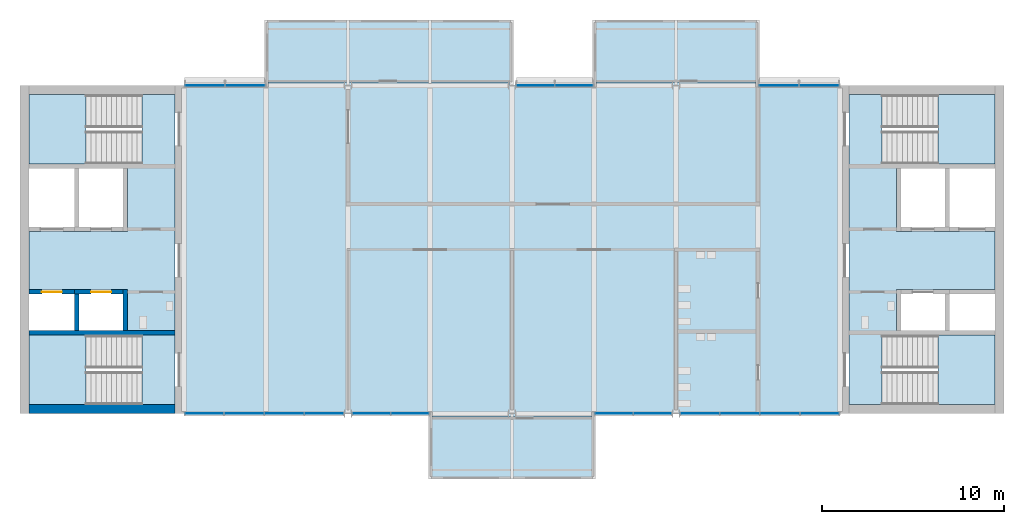
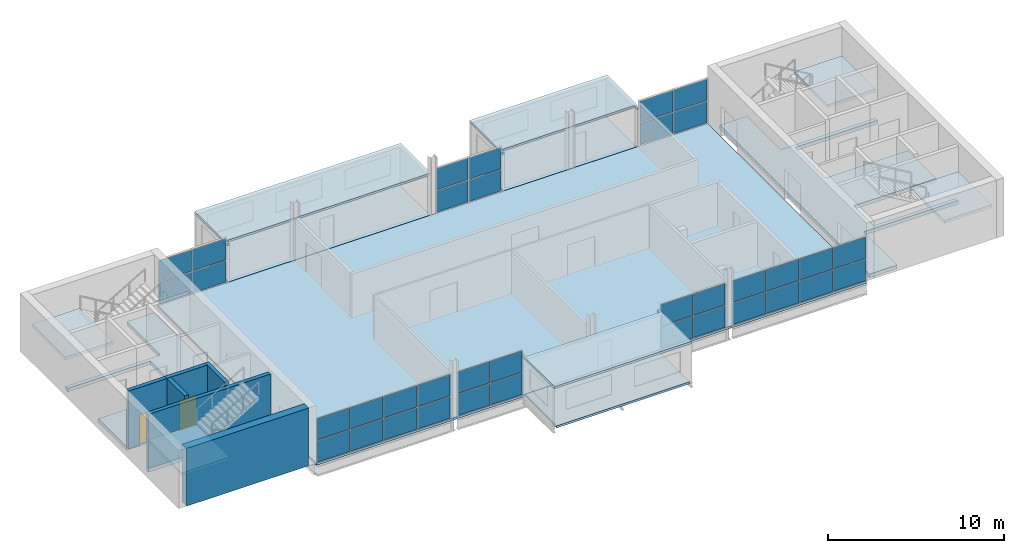
# One storey, part 4 of 10: 36 plates, 13 slabs, 6 walls, 2 doors, 2 openings, 11 elements without a shape of their own.
"""IFC4 building model written with IfcOpenShell, lengths in metres."""

from ifc_helpers import new_model, si_unit, direction, frame, frame_2d, origin, origin_2d, place, context, subcontext, project, spatial, polyline, rectangle, outline, extrude, material, layer, layer_set, type_object, element, fill, aggregate, save


model = new_model("IFC4")

# Units and contexts
model_context = context("Model", 3, precision=1e-05, world=origin(), true_north=direction((0.0, 1.0)))
body_context = subcontext(model_context, "Body", "Model", "MODEL_VIEW")
ifc_project = project(units=[si_unit("LENGTHUNIT", "METRE"), si_unit("AREAUNIT", "SQUARE_METRE"), si_unit("VOLUMEUNIT", "CUBIC_METRE"), si_unit("PLANEANGLEUNIT", "RADIAN"), si_unit("MASSUNIT", "GRAM", prefix="KILO")], contexts=[model_context])

# Site, building, storey
site_placement = place(None, origin())
site = spatial("IfcSite", under=ifc_project, at=site_placement, CompositionType="ELEMENT")
building_placement = place(site_placement, origin())
building = spatial("IfcBuilding", under=site, at=building_placement, Name="Corbel Yard City Hall", CompositionType="ELEMENT")
storey_placement = place(building_placement, frame((0.0, 0.0, 47.199951171875)))
storey = spatial("IfcBuildingStorey", under=building, at=storey_placement, Name="L11", CompositionType="ELEMENT", Elevation=47.199951171875)

# Slabs
ifc_material_1 = material(Name="Concrete N40 (40 MPa)", Category="concrete")
ifc_layer_1 = layer(ifc_material_1, 0.25)
ifc_layer_set_1 = layer_set([ifc_layer_1], Name="Concrete N40 (40 MPa)")
slab_type_1 = type_object("IfcSlabType", Name="CF1", PredefinedType="FLOOR", material=ifc_layer_set_1)
slab_1_placement = place(storey_placement, frame((0.0, 0.0, -0.25)))
element("IfcSlab", 1, at=slab_1_placement, inside=storey, type_object=slab_type_1, Name="Core floor slab", PredefinedType="FLOOR", context=body_context, shape_type="SweptSolid", body=[
    extrude(outline(polyline([(8.5, 116.5), (6.698974609375, 116.5), (6.698974609375, 112.699951171875), (0.5, 112.699951171875), (0.5, 112.449951171875), (5.89990234375, 112.449951171875), (5.89990234375, 109.0), (0.5, 109.0), (0.5, 105.800048828125), (5.89990234375, 105.800048828125), (5.89990234375, 103.550048828125), (0.5, 103.550048828125), (0.5, 103.300048828125), (6.698974609375, 103.300048828125), (6.698974609375, 99.5), (8.5, 99.5), (8.5, 116.5)])), origin(), (0.0, 0.0, 1.0), 0.25),
])
slab_2_placement = place(storey_placement, frame((0.0, 0.0, -0.25)))
element("IfcSlab", 2, at=slab_2_placement, inside=storey, type_object=slab_type_1, Name="Core floor slab", PredefinedType="FLOOR", context=body_context, shape_type="SweptSolid", body=[
    extrude(outline(polyline([(53.5, 103.300048828125), (53.5, 103.550048828125), (48.10009765625, 103.550048828125), (48.10009765625, 105.800048828125), (53.5, 105.800048828125), (53.5, 109.0), (48.10009765625, 109.0), (48.10009765625, 112.449951171875), (53.5, 112.449951171875), (53.5, 112.699951171875), (47.301025390625, 112.699951171875), (47.301025390625, 116.5), (45.5, 116.5), (45.5, 99.5), (47.301025390625, 99.5), (47.301025390625, 103.300048828125), (53.5, 103.300048828125)])), origin(), (0.0, 0.0, 1.0), 0.25),
])
ifc_layer_2 = layer(ifc_material_1, 0.14990234375)
ifc_layer_set_2 = layer_set([ifc_layer_2], Name="Concrete N40 (40 MPa)")
slab_type_2 = type_object("IfcSlabType", Name="Floor slab 150", PredefinedType="FLOOR", material=ifc_layer_set_2)
slab_3_placement = place(storey_placement, frame((0.0, 0.0, -0.14990234375)))
element("IfcSlab", 3, at=slab_3_placement, inside=storey, type_object=slab_type_2, Name="Tower floor slab L11", PredefinedType="FLOOR", context=body_context, shape_type="SweptSolid", body=[
    extrude(outline(polyline([(45.0, 99.0), (45.0, 117.0), (9.0, 117.0), (9.0, 99.0), (45.0, 99.0)])), origin(), (0.0, 0.0, 1.0), 0.14990234375),
])

# Stair, slab
stair_type = type_object("IfcStairType", Name="ST4", PredefinedType="HALF_TURN_STAIR", material=ifc_material_1)
stair_1_placement = place(storey_placement, origin())
stair_1 = element("IfcStair", 4, at=stair_1_placement, inside=storey, type_object=stair_type, Name="Exit stair ST-W1 L11", PredefinedType="HALF_TURN_STAIR")
ifc_layer_3 = layer(ifc_material_1, 0.199951171875)
ifc_layer_set_3 = layer_set([ifc_layer_3], Name="Concrete N40 (40 MPa)")
slab_type_3 = type_object("IfcSlabType", Name="LN1", PredefinedType="LANDING", material=ifc_layer_set_3)
slab_4_placement = place(storey_placement, frame((0.0, 0.0, 1.800048828125)))
slab_4 = element("IfcSlab", 5, at=slab_4_placement, type_object=slab_type_3, Name="ST-W1 landing 1", PredefinedType="LANDING", context=body_context, shape_type="SweptSolid", body=[
    extrude(outline(polyline([(0.5, 99.5), (3.6201171875, 99.5), (3.6201171875, 103.300048828125), (0.5, 103.300048828125), (0.5, 99.5)])), origin(), (0.0, 0.0, 1.0), 0.199951171875),
])
aggregate(stair_1, [slab_4])

stair_2_placement = place(storey_placement, origin())
stair_2 = element("IfcStair", 6, at=stair_2_placement, inside=storey, type_object=stair_type, Name="Exit stair ST-W2 L11", PredefinedType="HALF_TURN_STAIR")
slab_5_placement = place(storey_placement, frame((0.0, 0.0, 1.800048828125)))
slab_5 = element("IfcSlab", 7, at=slab_5_placement, type_object=slab_type_3, Name="ST-W2 landing 1", PredefinedType="LANDING", context=body_context, shape_type="SweptSolid", body=[
    extrude(outline(polyline([(0.5, 112.699951171875), (3.6201171875, 112.699951171875), (3.6201171875, 116.5), (0.5, 116.5), (0.5, 112.699951171875)])), origin(), (0.0, 0.0, 1.0), 0.199951171875),
])
aggregate(stair_2, [slab_5])

stair_3_placement = place(storey_placement, origin())
stair_3 = element("IfcStair", 8, at=stair_3_placement, inside=storey, type_object=stair_type, Name="Exit stair ST-E1 L11", PredefinedType="HALF_TURN_STAIR")
slab_6_placement = place(storey_placement, frame((0.0, 0.0, 1.800048828125)))
slab_6 = element("IfcSlab", 9, at=slab_6_placement, type_object=slab_type_3, Name="ST-E1 landing 1", PredefinedType="LANDING", context=body_context, shape_type="SweptSolid", body=[
    extrude(outline(polyline([(50.3798828125, 99.5), (53.5, 99.5), (53.5, 103.300048828125), (50.3798828125, 103.300048828125), (50.3798828125, 99.5)])), origin(), (0.0, 0.0, 1.0), 0.199951171875),
])
aggregate(stair_3, [slab_6])

stair_4_placement = place(storey_placement, origin())
stair_4 = element("IfcStair", 10, at=stair_4_placement, inside=storey, type_object=stair_type, Name="Exit stair ST-E2 L11", PredefinedType="HALF_TURN_STAIR")
slab_7_placement = place(storey_placement, frame((0.0, 0.0, 1.800048828125)))
slab_7 = element("IfcSlab", 11, at=slab_7_placement, type_object=slab_type_3, Name="ST-E2 landing 1", PredefinedType="LANDING", context=body_context, shape_type="SweptSolid", body=[
    extrude(outline(polyline([(50.3798828125, 112.699951171875), (53.5, 112.699951171875), (53.5, 116.5), (50.3798828125, 116.5), (50.3798828125, 112.699951171875)])), origin(), (0.0, 0.0, 1.0), 0.199951171875),
])
aggregate(stair_4, [slab_7])

# Slabs
ifc_material_2 = material(Name="Concrete N32 (32 MPa)", Category="concrete")
ifc_layer_4 = layer(ifc_material_2, 0.14990234375)
ifc_layer_set_4 = layer_set([ifc_layer_4], Name="Concrete N32 (32 MPa)")
slab_type_4 = type_object("IfcSlabType", Name="PF1", PredefinedType="FLOOR", material=ifc_layer_set_4)
slab_8_placement = place(storey_placement, frame((0.0, 0.0, -0.14990234375)))
element("IfcSlab", 12, at=slab_8_placement, inside=storey, type_object=slab_type_4, Name="Pod floor slab L11", PredefinedType="FLOOR", context=body_context, shape_type="SweptSolid", body=[
    extrude(outline(polyline([(22.64990234375, 95.39990234375), (31.35009765625, 95.39990234375), (31.35009765625, 99.0), (22.64990234375, 99.0), (22.64990234375, 95.39990234375)])), origin(), (0.0, 0.0, 1.0), 0.14990234375),
])
slab_9_placement = place(storey_placement, frame((0.0, 0.0, -0.14990234375)))
element("IfcSlab", 13, at=slab_9_placement, inside=storey, type_object=slab_type_4, Name="Pod floor slab L11", PredefinedType="FLOOR", context=body_context, shape_type="SweptSolid", body=[
    extrude(outline(polyline([(13.64990234375, 117.0), (26.85009765625, 117.0), (26.85009765625, 120.60009765625), (13.64990234375, 120.60009765625), (13.64990234375, 117.0)])), origin(), (0.0, 0.0, 1.0), 0.14990234375),
])
slab_10_placement = place(storey_placement, frame((0.0, 0.0, -0.14990234375)))
element("IfcSlab", 14, at=slab_10_placement, inside=storey, type_object=slab_type_4, Name="Pod floor slab L11", PredefinedType="FLOOR", context=body_context, shape_type="SweptSolid", body=[
    extrude(outline(polyline([(31.64990234375, 117.0), (40.35009765625, 117.0), (40.35009765625, 120.60009765625), (31.64990234375, 120.60009765625), (31.64990234375, 117.0)])), origin(), (0.0, 0.0, 1.0), 0.14990234375),
])
ifc_layer_5 = layer(ifc_material_2, 0.14990234375)
ifc_layer_set_5 = layer_set([ifc_layer_5], Name="Concrete N32 (32 MPa)")
slab_type_5 = type_object("IfcSlabType", Name="PH1", PredefinedType="ROOF", material=ifc_layer_set_5)
slab_11_placement = place(storey_placement, frame((0.0, 0.0, 2.60009765625)))
element("IfcSlab", 15, at=slab_11_placement, inside=storey, type_object=slab_type_5, Name="Pod roof slab L11", PredefinedType="ROOF", context=body_context, shape_type="SweptSolid", body=[
    extrude(outline(polyline([(22.5, 95.39990234375), (31.5, 95.39990234375), (31.5, 99.074951171875), (31.35009765625, 99.074951171875), (31.35009765625, 98.800048828125), (22.64990234375, 98.800048828125), (22.64990234375, 99.074951171875), (22.5, 99.074951171875), (22.5, 95.39990234375)])), origin(), (0.0, 0.0, 1.0), 0.14990234375),
])
slab_12_placement = place(storey_placement, frame((0.0, 0.0, 2.60009765625)))
element("IfcSlab", 16, at=slab_12_placement, inside=storey, type_object=slab_type_5, Name="Pod roof slab L11", PredefinedType="ROOF", context=body_context, shape_type="SweptSolid", body=[
    extrude(outline(polyline([(13.5, 120.60009765625), (13.5, 116.909912109375), (13.64990234375, 116.909912109375), (13.64990234375, 117.199951171875), (27.0, 117.199951171875), (27.0, 120.60009765625), (13.5, 120.60009765625)])), origin(), (0.0, 0.0, 1.0), 0.14990234375),
])
slab_13_placement = place(storey_placement, frame((0.0, 0.0, 2.60009765625)))
element("IfcSlab", 17, at=slab_13_placement, inside=storey, type_object=slab_type_5, Name="Pod roof slab L11", PredefinedType="ROOF", context=body_context, shape_type="SweptSolid", body=[
    extrude(outline(polyline([(31.5, 120.60009765625), (31.5, 116.909912109375), (31.64990234375, 116.909912109375), (31.64990234375, 117.199951171875), (40.35009765625, 117.199951171875), (40.35009765625, 116.909912109375), (40.5, 116.909912109375), (40.5, 120.60009765625), (31.5, 120.60009765625)])), origin(), (0.0, 0.0, 1.0), 0.14990234375),
])

# Curtain wall, plates
ifc_material_3 = material(Name="Aluminium extrusion", Category="aluminium")
ifc_layer_6 = layer(ifc_material_3, 0.14990234375)
ifc_layer_set_6 = layer_set([ifc_layer_6], Name="Aluminium extrusion")
curtain_wall_type_1 = type_object("IfcCurtainWallType", Name="CW2", PredefinedType="USERDEFINED", material=ifc_layer_set_6)
curtain_wall_1_placement = place(storey_placement, origin())
curtain_wall_1 = element("IfcCurtainWall", 18, at=curtain_wall_1_placement, inside=storey, type_object=curtain_wall_type_1, Name="Curtain wall CW2 L11", ObjectType="CURTAIN WALL", PredefinedType="USERDEFINED")
ifc_material_4 = material(Name="Double glazed low-e glass unit", Category="glass")
ifc_layer_7 = layer(ifc_material_4, 0.028076171875)
ifc_layer_set_7 = layer_set([ifc_layer_7], Name="Double glazed low-e glass unit")
plate_type_1 = type_object("IfcPlateType", Name="PN2", PredefinedType="CURTAIN_PANEL", material=ifc_layer_set_7)
plate_1_placement = place(storey_placement, frame((10.115478515625, 99.0, 0.06494140625), z_axis=(0.0, 0.0, 1.0), x_axis=(1.0, 0.0, 0.0)))
plate_1 = element("IfcPlate", 19, at=plate_1_placement, type_object=plate_type_1, Name="CW2 panel 1.1", PredefinedType="CURTAIN_PANEL", context=body_context, shape_type="SweptSolid", body=[
    extrude(rectangle(XDim=2.100830078125, YDim=0.028076171875, at=origin_2d()), origin(), (0.0, 0.0, 1.0), 1.4775390625),
])
plate_2_placement = place(storey_placement, frame((10.115478515625, 99.0, 1.607421875), z_axis=(0.0, 0.0, 1.0), x_axis=(1.0, 0.0, 0.0)))
plate_2 = element("IfcPlate", 20, at=plate_2_placement, type_object=plate_type_1, Name="CW2 panel 1.2", PredefinedType="CURTAIN_PANEL", context=body_context, shape_type="SweptSolid", body=[
    extrude(rectangle(XDim=2.100830078125, YDim=0.028076171875, at=origin_2d()), origin(), (0.0, 0.0, 1.0), 1.4775390625),
])
plate_3_placement = place(storey_placement, frame((12.29736328125, 99.0, 0.06494140625), z_axis=(0.0, 0.0, 1.0), x_axis=(1.0, 0.0, 0.0)))
plate_3 = element("IfcPlate", 21, at=plate_3_placement, type_object=plate_type_1, Name="CW2 panel 2.1", PredefinedType="CURTAIN_PANEL", context=body_context, shape_type="SweptSolid", body=[
    extrude(rectangle(XDim=2.13330078125, YDim=0.028076171875, at=origin_2d()), origin(), (0.0, 0.0, 1.0), 1.4775390625),
])
plate_4_placement = place(storey_placement, frame((12.29736328125, 99.0, 1.607421875), z_axis=(0.0, 0.0, 1.0), x_axis=(1.0, 0.0, 0.0)))
plate_4 = element("IfcPlate", 22, at=plate_4_placement, type_object=plate_type_1, Name="CW2 panel 2.2", PredefinedType="CURTAIN_PANEL", context=body_context, shape_type="SweptSolid", body=[
    extrude(rectangle(XDim=2.13330078125, YDim=0.028076171875, at=origin_2d()), origin(), (0.0, 0.0, 1.0), 1.4775390625),
])
plate_5_placement = place(storey_placement, frame((14.49560546875, 99.0, 0.06494140625), z_axis=(0.0, 0.0, 1.0), x_axis=(1.0, 0.0, 0.0)))
plate_5 = element("IfcPlate", 23, at=plate_5_placement, type_object=plate_type_1, Name="CW2 panel 3.1", PredefinedType="CURTAIN_PANEL", context=body_context, shape_type="SweptSolid", body=[
    extrude(rectangle(XDim=2.13330078125, YDim=0.028076171875, at=origin_2d()), origin(), (0.0, 0.0, 1.0), 1.4775390625),
])
plate_6_placement = place(storey_placement, frame((14.49560546875, 99.0, 1.607421875), z_axis=(0.0, 0.0, 1.0), x_axis=(1.0, 0.0, 0.0)))
plate_6 = element("IfcPlate", 24, at=plate_6_placement, type_object=plate_type_1, Name="CW2 panel 3.2", PredefinedType="CURTAIN_PANEL", context=body_context, shape_type="SweptSolid", body=[
    extrude(rectangle(XDim=2.13330078125, YDim=0.028076171875, at=origin_2d()), origin(), (0.0, 0.0, 1.0), 1.4775390625),
])
plate_7_placement = place(storey_placement, frame((16.677734375, 99.0, 0.06494140625), z_axis=(0.0, 0.0, 1.0), x_axis=(1.0, 0.0, 0.0)))
plate_7 = element("IfcPlate", 25, at=plate_7_placement, type_object=plate_type_1, Name="CW2 panel 4.1", PredefinedType="CURTAIN_PANEL", context=body_context, shape_type="SweptSolid", body=[
    extrude(rectangle(XDim=2.100830078125, YDim=0.028076171875, at=origin_2d()), origin(), (0.0, 0.0, 1.0), 1.4775390625),
])
plate_8_placement = place(storey_placement, frame((16.677734375, 99.0, 1.607421875), z_axis=(0.0, 0.0, 1.0), x_axis=(1.0, 0.0, 0.0)))
plate_8 = element("IfcPlate", 26, at=plate_8_placement, type_object=plate_type_1, Name="CW2 panel 4.2", PredefinedType="CURTAIN_PANEL", context=body_context, shape_type="SweptSolid", body=[
    extrude(rectangle(XDim=2.100830078125, YDim=0.028076171875, at=origin_2d()), origin(), (0.0, 0.0, 1.0), 1.4775390625),
])
aggregate(curtain_wall_1, [plate_1, plate_2, plate_3, plate_4, plate_5, plate_6, plate_7, plate_8])

curtain_wall_2_placement = place(storey_placement, origin())
curtain_wall_2 = element("IfcCurtainWall", 27, at=curtain_wall_2_placement, inside=storey, type_object=curtain_wall_type_1, Name="Curtain wall CW2 L11", ObjectType="CURTAIN WALL", PredefinedType="USERDEFINED")
plate_9_placement = place(storey_placement, frame((19.29638671875, 99.0, 0.06494140625), z_axis=(0.0, 0.0, 1.0), x_axis=(1.0, 0.0, 0.0)))
plate_9 = element("IfcPlate", 28, at=plate_9_placement, type_object=plate_type_1, Name="CW2 panel 1.1", PredefinedType="CURTAIN_PANEL", context=body_context, shape_type="SweptSolid", body=[
    extrude(rectangle(XDim=2.049072265625, YDim=0.028076171875, at=origin_2d()), origin(), (0.0, 0.0, 1.0), 1.4775390625),
])
plate_10_placement = place(storey_placement, frame((19.29638671875, 99.0, 1.607421875), z_axis=(0.0, 0.0, 1.0), x_axis=(1.0, 0.0, 0.0)))
plate_10 = element("IfcPlate", 29, at=plate_10_placement, type_object=plate_type_1, Name="CW2 panel 1.2", PredefinedType="CURTAIN_PANEL", context=body_context, shape_type="SweptSolid", body=[
    extrude(rectangle(XDim=2.049072265625, YDim=0.028076171875, at=origin_2d()), origin(), (0.0, 0.0, 1.0), 1.4775390625),
])
plate_11_placement = place(storey_placement, frame((21.410400390625, 99.0, 0.06494140625), z_axis=(0.0, 0.0, 1.0), x_axis=(1.0, 0.0, 0.0)))
plate_11 = element("IfcPlate", 30, at=plate_11_placement, type_object=plate_type_1, Name="CW2 panel 2.1", PredefinedType="CURTAIN_PANEL", context=body_context, shape_type="SweptSolid", body=[
    extrude(rectangle(XDim=2.049072265625, YDim=0.028076171875, at=origin_2d()), origin(), (0.0, 0.0, 1.0), 1.4775390625),
])
plate_12_placement = place(storey_placement, frame((21.410400390625, 99.0, 1.607421875), z_axis=(0.0, 0.0, 1.0), x_axis=(1.0, 0.0, 0.0)))
plate_12 = element("IfcPlate", 31, at=plate_12_placement, type_object=plate_type_1, Name="CW2 panel 2.2", PredefinedType="CURTAIN_PANEL", context=body_context, shape_type="SweptSolid", body=[
    extrude(rectangle(XDim=2.049072265625, YDim=0.028076171875, at=origin_2d()), origin(), (0.0, 0.0, 1.0), 1.4775390625),
])
aggregate(curtain_wall_2, [plate_9, plate_10, plate_11, plate_12])

curtain_wall_3_placement = place(storey_placement, origin())
curtain_wall_3 = element("IfcCurtainWall", 32, at=curtain_wall_3_placement, inside=storey, type_object=curtain_wall_type_1, Name="Curtain wall CW2 L11", ObjectType="CURTAIN WALL", PredefinedType="USERDEFINED")
plate_13_placement = place(storey_placement, frame((32.589599609375, 99.0, 0.06494140625), z_axis=(0.0, 0.0, 1.0), x_axis=(1.0, 0.0, 0.0)))
plate_13 = element("IfcPlate", 33, at=plate_13_placement, type_object=plate_type_1, Name="CW2 panel 1.1", PredefinedType="CURTAIN_PANEL", context=body_context, shape_type="SweptSolid", body=[
    extrude(rectangle(XDim=2.049072265625, YDim=0.028076171875, at=origin_2d()), origin(), (0.0, 0.0, 1.0), 1.4775390625),
])
plate_14_placement = place(storey_placement, frame((32.589599609375, 99.0, 1.607421875), z_axis=(0.0, 0.0, 1.0), x_axis=(1.0, 0.0, 0.0)))
plate_14 = element("IfcPlate", 34, at=plate_14_placement, type_object=plate_type_1, Name="CW2 panel 1.2", PredefinedType="CURTAIN_PANEL", context=body_context, shape_type="SweptSolid", body=[
    extrude(rectangle(XDim=2.049072265625, YDim=0.028076171875, at=origin_2d()), origin(), (0.0, 0.0, 1.0), 1.4775390625),
])
plate_15_placement = place(storey_placement, frame((34.70361328125, 99.0, 0.06494140625), z_axis=(0.0, 0.0, 1.0), x_axis=(1.0, 0.0, 0.0)))
plate_15 = element("IfcPlate", 35, at=plate_15_placement, type_object=plate_type_1, Name="CW2 panel 2.1", PredefinedType="CURTAIN_PANEL", context=body_context, shape_type="SweptSolid", body=[
    extrude(rectangle(XDim=2.049072265625, YDim=0.028076171875, at=origin_2d()), origin(), (0.0, 0.0, 1.0), 1.4775390625),
])
plate_16_placement = place(storey_placement, frame((34.70361328125, 99.0, 1.607421875), z_axis=(0.0, 0.0, 1.0), x_axis=(1.0, 0.0, 0.0)))
plate_16 = element("IfcPlate", 36, at=plate_16_placement, type_object=plate_type_1, Name="CW2 panel 2.2", PredefinedType="CURTAIN_PANEL", context=body_context, shape_type="SweptSolid", body=[
    extrude(rectangle(XDim=2.049072265625, YDim=0.028076171875, at=origin_2d()), origin(), (0.0, 0.0, 1.0), 1.4775390625),
])
aggregate(curtain_wall_3, [plate_13, plate_14, plate_15, plate_16])

curtain_wall_4_placement = place(storey_placement, origin())
curtain_wall_4 = element("IfcCurtainWall", 37, at=curtain_wall_4_placement, inside=storey, type_object=curtain_wall_type_1, Name="Curtain wall CW2 L11", ObjectType="CURTAIN WALL", PredefinedType="USERDEFINED")
plate_17_placement = place(storey_placement, frame((37.322265625, 99.0, 0.06494140625), z_axis=(0.0, 0.0, 1.0), x_axis=(1.0, 0.0, 0.0)))
plate_17 = element("IfcPlate", 38, at=plate_17_placement, type_object=plate_type_1, Name="CW2 panel 1.1", PredefinedType="CURTAIN_PANEL", context=body_context, shape_type="SweptSolid", body=[
    extrude(rectangle(XDim=2.100830078125, YDim=0.028076171875, at=origin_2d()), origin(), (0.0, 0.0, 1.0), 1.4775390625),
])
plate_18_placement = place(storey_placement, frame((37.322265625, 99.0, 1.607421875), z_axis=(0.0, 0.0, 1.0), x_axis=(1.0, 0.0, 0.0)))
plate_18 = element("IfcPlate", 39, at=plate_18_placement, type_object=plate_type_1, Name="CW2 panel 1.2", PredefinedType="CURTAIN_PANEL", context=body_context, shape_type="SweptSolid", body=[
    extrude(rectangle(XDim=2.100830078125, YDim=0.028076171875, at=origin_2d()), origin(), (0.0, 0.0, 1.0), 1.4775390625),
])
plate_19_placement = place(storey_placement, frame((39.50439453125, 99.0, 0.06494140625), z_axis=(0.0, 0.0, 1.0), x_axis=(1.0, 0.0, 0.0)))
plate_19 = element("IfcPlate", 40, at=plate_19_placement, type_object=plate_type_1, Name="CW2 panel 2.1", PredefinedType="CURTAIN_PANEL", context=body_context, shape_type="SweptSolid", body=[
    extrude(rectangle(XDim=2.13330078125, YDim=0.028076171875, at=origin_2d()), origin(), (0.0, 0.0, 1.0), 1.4775390625),
])
plate_20_placement = place(storey_placement, frame((39.50439453125, 99.0, 1.607421875), z_axis=(0.0, 0.0, 1.0), x_axis=(1.0, 0.0, 0.0)))
plate_20 = element("IfcPlate", 41, at=plate_20_placement, type_object=plate_type_1, Name="CW2 panel 2.2", PredefinedType="CURTAIN_PANEL", context=body_context, shape_type="SweptSolid", body=[
    extrude(rectangle(XDim=2.13330078125, YDim=0.028076171875, at=origin_2d()), origin(), (0.0, 0.0, 1.0), 1.4775390625),
])
plate_21_placement = place(storey_placement, frame((41.70263671875, 99.0, 0.06494140625), z_axis=(0.0, 0.0, 1.0), x_axis=(1.0, 0.0, 0.0)))
plate_21 = element("IfcPlate", 42, at=plate_21_placement, type_object=plate_type_1, Name="CW2 panel 3.1", PredefinedType="CURTAIN_PANEL", context=body_context, shape_type="SweptSolid", body=[
    extrude(rectangle(XDim=2.13330078125, YDim=0.028076171875, at=origin_2d()), origin(), (0.0, 0.0, 1.0), 1.4775390625),
])
plate_22_placement = place(storey_placement, frame((41.70263671875, 99.0, 1.607421875), z_axis=(0.0, 0.0, 1.0), x_axis=(1.0, 0.0, 0.0)))
plate_22 = element("IfcPlate", 43, at=plate_22_placement, type_object=plate_type_1, Name="CW2 panel 3.2", PredefinedType="CURTAIN_PANEL", context=body_context, shape_type="SweptSolid", body=[
    extrude(rectangle(XDim=2.13330078125, YDim=0.028076171875, at=origin_2d()), origin(), (0.0, 0.0, 1.0), 1.4775390625),
])
plate_23_placement = place(storey_placement, frame((43.884521484375, 99.0, 0.06494140625), z_axis=(0.0, 0.0, 1.0), x_axis=(1.0, 0.0, 0.0)))
plate_23 = element("IfcPlate", 44, at=plate_23_placement, type_object=plate_type_1, Name="CW2 panel 4.1", PredefinedType="CURTAIN_PANEL", context=body_context, shape_type="SweptSolid", body=[
    extrude(rectangle(XDim=2.100830078125, YDim=0.028076171875, at=origin_2d()), origin(), (0.0, 0.0, 1.0), 1.4775390625),
])
plate_24_placement = place(storey_placement, frame((43.884521484375, 99.0, 1.607421875), z_axis=(0.0, 0.0, 1.0), x_axis=(1.0, 0.0, 0.0)))
plate_24 = element("IfcPlate", 45, at=plate_24_placement, type_object=plate_type_1, Name="CW2 panel 4.2", PredefinedType="CURTAIN_PANEL", context=body_context, shape_type="SweptSolid", body=[
    extrude(rectangle(XDim=2.100830078125, YDim=0.028076171875, at=origin_2d()), origin(), (0.0, 0.0, 1.0), 1.4775390625),
])
aggregate(curtain_wall_4, [plate_17, plate_18, plate_19, plate_20, plate_21, plate_22, plate_23, plate_24])

ifc_layer_8 = layer(ifc_material_3, 0.179931640625)
ifc_layer_set_8 = layer_set([ifc_layer_8], Name="Aluminium extrusion")
curtain_wall_type_2 = type_object("IfcCurtainWallType", Name="CW6", PredefinedType="USERDEFINED", material=ifc_layer_set_8)
curtain_wall_5_placement = place(storey_placement, origin())
curtain_wall_5 = element("IfcCurtainWall", 46, at=curtain_wall_5_placement, inside=storey, type_object=curtain_wall_type_2, Name="Curtain wall CW6 L11", ObjectType="CURTAIN WALL", PredefinedType="USERDEFINED")
ifc_material_5 = material(Name="Double glazed low-e glass unit, ceramic fritted", Category="glass")
ifc_layer_9 = layer(ifc_material_5, 0.02392578125)
ifc_layer_set_9 = layer_set([ifc_layer_9], Name="Double glazed low-e glass unit, ceramic fritted")
plate_type_2 = type_object("IfcPlateType", Name="PN7", PredefinedType="CURTAIN_PANEL", material=ifc_layer_set_9)
plate_25_placement = place(storey_placement, frame((10.141357421875, 117.0, 0.06494140625), z_axis=(0.0, 0.0, 1.0), x_axis=(1.0, 0.0, 0.0)))
plate_25 = element("IfcPlate", 47, at=plate_25_placement, type_object=plate_type_2, Name="CW6 panel 1.1", PredefinedType="CURTAIN_PANEL", context=body_context, shape_type="SweptSolid", body=[
    extrude(rectangle(XDim=2.152587890625, YDim=0.02392578125, at=origin_2d()), origin(), (0.0, 0.0, 1.0), 1.4775390625),
])
plate_26_placement = place(storey_placement, frame((10.141357421875, 117.0, 1.607421875), z_axis=(0.0, 0.0, 1.0), x_axis=(1.0, 0.0, 0.0)))
plate_26 = element("IfcPlate", 48, at=plate_26_placement, type_object=plate_type_2, Name="CW6 panel 1.2", PredefinedType="CURTAIN_PANEL", context=body_context, shape_type="SweptSolid", body=[
    extrude(rectangle(XDim=2.152587890625, YDim=0.02392578125, at=origin_2d()), origin(), (0.0, 0.0, 1.0), 1.4775390625),
])
plate_27_placement = place(storey_placement, frame((12.358642578125, 117.0, 0.06494140625), z_axis=(0.0, 0.0, 1.0), x_axis=(1.0, 0.0, 0.0)))
plate_27 = element("IfcPlate", 49, at=plate_27_placement, type_object=plate_type_2, Name="CW6 panel 2.1", PredefinedType="CURTAIN_PANEL", context=body_context, shape_type="SweptSolid", body=[
    extrude(rectangle(XDim=2.152587890625, YDim=0.02392578125, at=origin_2d()), origin(), (0.0, 0.0, 1.0), 1.4775390625),
])
plate_28_placement = place(storey_placement, frame((12.358642578125, 117.0, 1.607421875), z_axis=(0.0, 0.0, 1.0), x_axis=(1.0, 0.0, 0.0)))
plate_28 = element("IfcPlate", 50, at=plate_28_placement, type_object=plate_type_2, Name="CW6 panel 2.2", PredefinedType="CURTAIN_PANEL", context=body_context, shape_type="SweptSolid", body=[
    extrude(rectangle(XDim=2.152587890625, YDim=0.02392578125, at=origin_2d()), origin(), (0.0, 0.0, 1.0), 1.4775390625),
])
aggregate(curtain_wall_5, [plate_25, plate_26, plate_27, plate_28])

curtain_wall_6_placement = place(storey_placement, origin())
curtain_wall_6 = element("IfcCurtainWall", 51, at=curtain_wall_6_placement, inside=storey, type_object=curtain_wall_type_2, Name="Curtain wall CW6 L11", ObjectType="CURTAIN WALL", PredefinedType="USERDEFINED")
plate_29_placement = place(storey_placement, frame((28.29638671875, 117.0, 0.06494140625), z_axis=(0.0, 0.0, 1.0), x_axis=(1.0, 0.0, 0.0)))
plate_29 = element("IfcPlate", 52, at=plate_29_placement, type_object=plate_type_2, Name="CW6 panel 1.1", PredefinedType="CURTAIN_PANEL", context=body_context, shape_type="SweptSolid", body=[
    extrude(rectangle(XDim=2.049072265625, YDim=0.02392578125, at=origin_2d()), origin(), (0.0, 0.0, 1.0), 1.4775390625),
])
plate_30_placement = place(storey_placement, frame((28.29638671875, 117.0, 1.607421875), z_axis=(0.0, 0.0, 1.0), x_axis=(1.0, 0.0, 0.0)))
plate_30 = element("IfcPlate", 53, at=plate_30_placement, type_object=plate_type_2, Name="CW6 panel 1.2", PredefinedType="CURTAIN_PANEL", context=body_context, shape_type="SweptSolid", body=[
    extrude(rectangle(XDim=2.049072265625, YDim=0.02392578125, at=origin_2d()), origin(), (0.0, 0.0, 1.0), 1.4775390625),
])
plate_31_placement = place(storey_placement, frame((30.410400390625, 117.0, 0.06494140625), z_axis=(0.0, 0.0, 1.0), x_axis=(1.0, 0.0, 0.0)))
plate_31 = element("IfcPlate", 54, at=plate_31_placement, type_object=plate_type_2, Name="CW6 panel 2.1", PredefinedType="CURTAIN_PANEL", context=body_context, shape_type="SweptSolid", body=[
    extrude(rectangle(XDim=2.049072265625, YDim=0.02392578125, at=origin_2d()), origin(), (0.0, 0.0, 1.0), 1.4775390625),
])
plate_32_placement = place(storey_placement, frame((30.410400390625, 117.0, 1.607421875), z_axis=(0.0, 0.0, 1.0), x_axis=(1.0, 0.0, 0.0)))
plate_32 = element("IfcPlate", 55, at=plate_32_placement, type_object=plate_type_2, Name="CW6 panel 2.2", PredefinedType="CURTAIN_PANEL", context=body_context, shape_type="SweptSolid", body=[
    extrude(rectangle(XDim=2.049072265625, YDim=0.02392578125, at=origin_2d()), origin(), (0.0, 0.0, 1.0), 1.4775390625),
])
aggregate(curtain_wall_6, [plate_29, plate_30, plate_31, plate_32])

curtain_wall_7_placement = place(storey_placement, origin())
curtain_wall_7 = element("IfcCurtainWall", 56, at=curtain_wall_7_placement, inside=storey, type_object=curtain_wall_type_2, Name="Curtain wall CW6 L11", ObjectType="CURTAIN WALL", PredefinedType="USERDEFINED")
plate_33_placement = place(storey_placement, frame((41.641357421875, 117.0, 0.06494140625), z_axis=(0.0, 0.0, 1.0), x_axis=(1.0, 0.0, 0.0)))
plate_33 = element("IfcPlate", 57, at=plate_33_placement, type_object=plate_type_2, Name="CW6 panel 1.1", PredefinedType="CURTAIN_PANEL", context=body_context, shape_type="SweptSolid", body=[
    extrude(rectangle(XDim=2.152587890625, YDim=0.02392578125, at=origin_2d()), origin(), (0.0, 0.0, 1.0), 1.4775390625),
])
plate_34_placement = place(storey_placement, frame((41.641357421875, 117.0, 1.607421875), z_axis=(0.0, 0.0, 1.0), x_axis=(1.0, 0.0, 0.0)))
plate_34 = element("IfcPlate", 58, at=plate_34_placement, type_object=plate_type_2, Name="CW6 panel 1.2", PredefinedType="CURTAIN_PANEL", context=body_context, shape_type="SweptSolid", body=[
    extrude(rectangle(XDim=2.152587890625, YDim=0.02392578125, at=origin_2d()), origin(), (0.0, 0.0, 1.0), 1.4775390625),
])
plate_35_placement = place(storey_placement, frame((43.858642578125, 117.0, 0.06494140625), z_axis=(0.0, 0.0, 1.0), x_axis=(1.0, 0.0, 0.0)))
plate_35 = element("IfcPlate", 59, at=plate_35_placement, type_object=plate_type_2, Name="CW6 panel 2.1", PredefinedType="CURTAIN_PANEL", context=body_context, shape_type="SweptSolid", body=[
    extrude(rectangle(XDim=2.152587890625, YDim=0.02392578125, at=origin_2d()), origin(), (0.0, 0.0, 1.0), 1.4775390625),
])
plate_36_placement = place(storey_placement, frame((43.858642578125, 117.0, 1.607421875), z_axis=(0.0, 0.0, 1.0), x_axis=(1.0, 0.0, 0.0)))
plate_36 = element("IfcPlate", 60, at=plate_36_placement, type_object=plate_type_2, Name="CW6 panel 2.2", PredefinedType="CURTAIN_PANEL", context=body_context, shape_type="SweptSolid", body=[
    extrude(rectangle(XDim=2.152587890625, YDim=0.02392578125, at=origin_2d()), origin(), (0.0, 0.0, 1.0), 1.4775390625),
])
aggregate(curtain_wall_7, [plate_33, plate_34, plate_35, plate_36])

# Walls
ifc_layer_10 = layer(ifc_material_1, 0.25)
ifc_layer_set_10 = layer_set([ifc_layer_10], Name="Concrete N40 (40 MPa)")
wall_type_1 = type_object("IfcWallType", Name="IW2", PredefinedType="SOLIDWALL", material=ifc_layer_set_10)
wall_1_placement = place(storey_placement, frame((8.5, 103.425048828125, 0.0), z_axis=(0.0, 0.0, 1.0), x_axis=(-1.0, 0.0, 0.0)))
element("IfcWall", 61, at=wall_1_placement, inside=storey, type_object=wall_type_1, Name="Stair enclosure wall", PredefinedType="SOLIDWALL", context=body_context, shape_type="SweptSolid", body=[
    extrude(rectangle(XDim=8.0, YDim=0.25, at=frame_2d((4.0, 0.0))), origin(), (0.0, 0.0, 1.0), 3.75),
])
wall_2_placement = place(storey_placement, frame((5.77490234375, 103.550048828125, 0.0), z_axis=(0.0, 0.0, 1.0), x_axis=(0.0, 1.0, 0.0)))
element("IfcWall", 62, at=wall_2_placement, inside=storey, type_object=wall_type_1, Name="Lift LP22 shaft wall", PredefinedType="SOLIDWALL", context=body_context, shape_type="SweptSolid", body=[
    extrude(rectangle(XDim=2.25, YDim=0.25, at=frame_2d((1.125, 0.0))), origin(), (0.0, 0.0, 1.0), 4.0),
])
wall_3_placement = place(storey_placement, frame((3.125, 103.550048828125, 0.0), z_axis=(0.0, 0.0, 1.0), x_axis=(0.0, 1.0, 0.0)))
element("IfcWall", 63, at=wall_3_placement, inside=storey, type_object=wall_type_1, Name="Lift LP22 shaft wall", PredefinedType="SOLIDWALL", context=body_context, shape_type="SweptSolid", body=[
    extrude(rectangle(XDim=2.0, YDim=0.25, at=frame_2d((1.0, 0.0))), origin(), (0.0, 0.0, 1.0), 4.0),
])

# Wall, opening, door
wall_4_placement = place(storey_placement, frame((5.64990234375, 105.675048828125, 0.0), z_axis=(0.0, 0.0, 1.0), x_axis=(-1.0, 0.0, 0.0)))
wall_4 = element("IfcWall", 64, at=wall_4_placement, inside=storey, type_object=wall_type_1, Name="Lift LP22 shaft wall", PredefinedType="SOLIDWALL", context=body_context, shape_type="SweptSolid", body=[
    extrude(rectangle(XDim=2.64990234375, YDim=0.25, at=frame_2d((1.324951171875, 0.0))), origin(), (0.0, 0.0, 1.0), 4.0),
])
opening_1_placement = place(wall_4_placement, frame((0.64990234375, 0.0, 0.0)))
opening_1 = element("IfcOpeningElement", 65, at=opening_1_placement, cuts=wall_4, Name="Opening T3-004", PredefinedType="OPENING", context=body_context, shape_type="SweptSolid", body=[
    extrude(rectangle(XDim=1.10009765625, YDim=2.10009765625, at=frame_2d((0.550048828125, 1.050048828125))), frame((0.0, 0.135009765625, 0.0), z_axis=(0.0, -1.0, 0.0), x_axis=(1.0, 0.0, 0.0)), (0.0, 0.0, 1.0), 0.27001953125),
])
ifc_material_6 = material(Name="Stainless steel Grade 316", Category="steel")
door_type = type_object("IfcDoorType", Name="LD1", OperationType="DOUBLE_DOOR_SLIDING", PredefinedType="DOOR", material=ifc_material_6)
door_1_placement = place(opening_1_placement, origin())
door_1 = element("IfcDoor", 66, at=door_1_placement, inside=storey, type_object=door_type, Name="Lift LP22 landing door", OperationType="DOUBLE_DOOR_SLIDING", OverallHeight=2.10009765625, OverallWidth=1.10009765625, PredefinedType="DOOR", context=body_context, shape_type="SweptSolid", body=[
    extrude(rectangle(XDim=1.10009765625, YDim=2.10009765625, at=frame_2d((0.550048828125, 1.050048828125))), frame((0.0, 0.02490234375, 0.0), z_axis=(0.0, -1.0, 0.0), x_axis=(1.0, 0.0, 0.0)), (0.0, 0.0, 1.0), 0.050048828125),
])
fill(opening_1, door_1)

wall_5_placement = place(storey_placement, frame((3.0, 105.675048828125, 0.0), z_axis=(0.0, 0.0, 1.0), x_axis=(-1.0, 0.0, 0.0)))
wall_5 = element("IfcWall", 67, at=wall_5_placement, inside=storey, type_object=wall_type_1, Name="Lift LP23 shaft wall", PredefinedType="SOLIDWALL", context=body_context, shape_type="SweptSolid", body=[
    extrude(rectangle(XDim=2.5, YDim=0.25, at=frame_2d((1.25, 0.0))), origin(), (0.0, 0.0, 1.0), 4.0),
])
opening_2_placement = place(wall_5_placement, frame((0.699951171875, 0.0, 0.0)))
opening_2 = element("IfcOpeningElement", 68, at=opening_2_placement, cuts=wall_5, Name="Opening T3-005", PredefinedType="OPENING", context=body_context, shape_type="SweptSolid", body=[
    extrude(rectangle(XDim=1.10009765625, YDim=2.10009765625, at=frame_2d((0.550048828125, 1.050048828125))), frame((0.0, 0.135009765625, 0.0), z_axis=(0.0, -1.0, 0.0), x_axis=(1.0, 0.0, 0.0)), (0.0, 0.0, 1.0), 0.27001953125),
])
door_2_placement = place(opening_2_placement, origin())
door_2 = element("IfcDoor", 69, at=door_2_placement, inside=storey, type_object=door_type, Name="Lift LP23 landing door", OperationType="DOUBLE_DOOR_SLIDING", OverallHeight=2.10009765625, OverallWidth=1.10009765625, PredefinedType="DOOR", context=body_context, shape_type="SweptSolid", body=[
    extrude(rectangle(XDim=1.10009765625, YDim=2.10009765625, at=frame_2d((0.550048828125, 1.050048828125))), frame((0.0, 0.02490234375, 0.0), z_axis=(0.0, -1.0, 0.0), x_axis=(1.0, 0.0, 0.0)), (0.0, 0.0, 1.0), 0.050048828125),
])
fill(opening_2, door_2)

# Wall
ifc_material_7 = material(Name="Concrete N50 (50 MPa)", Category="concrete")
ifc_layer_11 = layer(ifc_material_7, 0.5)
ifc_layer_set_11 = layer_set([ifc_layer_11], Name="Concrete N50 (50 MPa)")
wall_type_2 = type_object("IfcWallType", Name="Trunk wall 500", PredefinedType="SHEAR", material=ifc_layer_set_11)
wall_6_placement = place(storey_placement, frame((0.5, 99.25, 0.0), z_axis=(0.0, 0.0, 1.0), x_axis=(1.0, 0.0, 0.0)))
element("IfcWall", 70, at=wall_6_placement, inside=storey, type_object=wall_type_2, Name="Trunk W south wall", PredefinedType="SHEAR", context=body_context, shape_type="SweptSolid", body=[
    extrude(rectangle(XDim=8.0, YDim=0.5, at=frame_2d((4.0, 0.0))), origin(), (0.0, 0.0, 1.0), 4.0),
])

save(model, "model.ifc")
